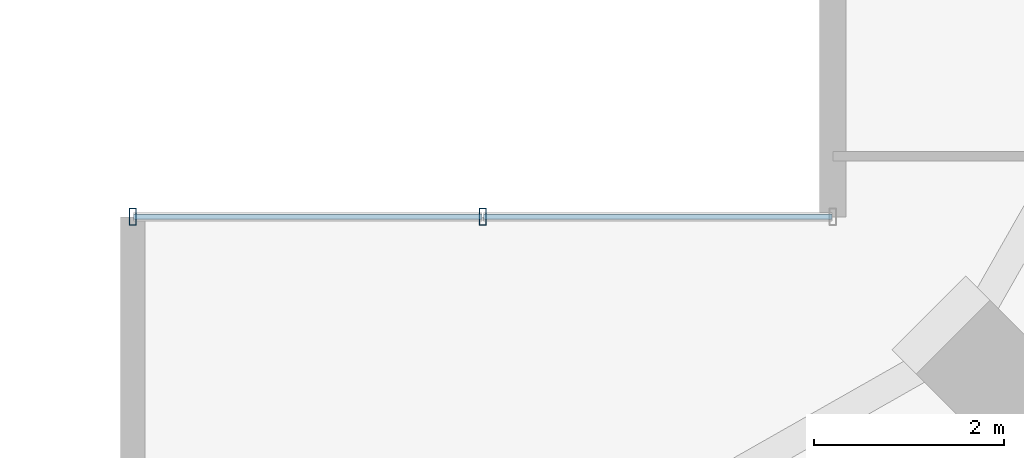
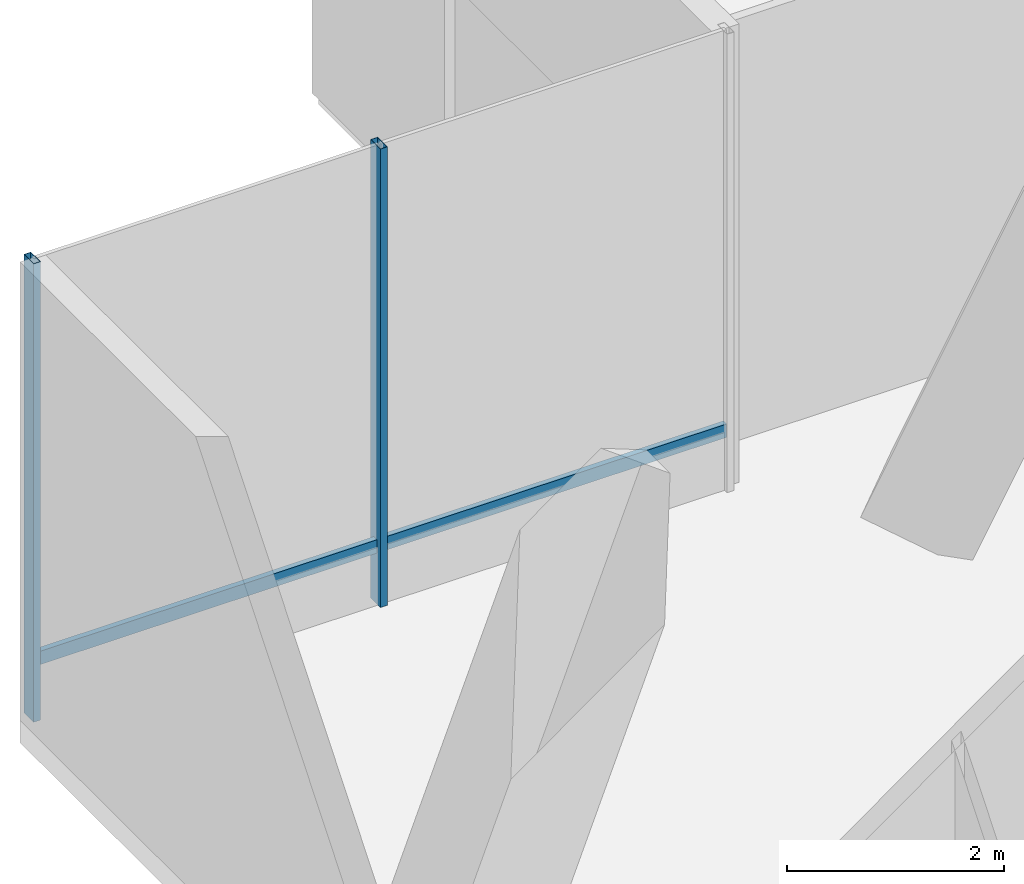
# One storey, part 19 of 33: 4 members, 1 element without a shape of its own.
"""IFC4 building model written with IfcOpenShell, lengths in metres."""

import ifcopenshell
import ifcopenshell.guid

model = None  # the IFC model being written
_history = None  # IfcOwnerHistory: only IFC2X3 demands one
_inside = {}  # id of a spatial element -> (the spatial element, [elements in it])
_under = {}  # id of a project, library or spatial element -> (it, [spatial elements below it])
_declared = {}  # id of a project -> (the project, [libraries it declares])
_typed = {}  # id of a type object -> (the type object, [elements of that type])
_made_of = {}  # id of a material, layer set ... -> (it, [elements and type objects made of it])


def new_model(schema):
    """Start an empty IFC model of exactly this schema.

    Asked for "IFC4X3", IfcOpenShell would pick the latest addendum, in which some entities
    have other attributes; the version numbers below select the first issue.
    IFC2X3 requires an IfcOwnerHistory on every rooted entity: one is made here for all.
    """
    global model, _history
    if schema == "IFC4X3":
        model = ifcopenshell.file(schema_version=(4, 3, 0, 0))
    else:
        model = ifcopenshell.file(schema=schema)
    _inside.clear()
    _under.clear()
    _declared.clear()
    _typed.clear()
    _made_of.clear()
    _history = None
    if model.schema == "IFC2X3":
        org = make("IfcOrganization", Name="unknown")
        user = make(
            "IfcPersonAndOrganization",
            ThePerson=make("IfcPerson", FamilyName="unknown"),
            TheOrganization=org,
        )
        app = make(
            "IfcApplication",
            ApplicationDeveloper=org,
            Version="unknown",
            ApplicationFullName="unknown",
            ApplicationIdentifier="unknown",
        )
        _history = make(
            "IfcOwnerHistory",
            OwningUser=user,
            OwningApplication=app,
            ChangeAction="ADDED",
            CreationDate=0,
        )
    return model


def make(cls, **values):
    """One entity of the class cls with the attributes given. An attribute that is None is left unset."""
    return model.create_entity(
        cls, **{name: value for name, value in values.items() if value is not None}
    )


def rooted(cls, **values):
    """An entity with a GlobalId (a new one), such as an element, a storey or a relation."""
    return make(cls, GlobalId=ifcopenshell.guid.new(), OwnerHistory=_history, **values)


def si_unit(unit_type, name, prefix=None):
    """IfcSIUnit, for example si_unit("LENGTHUNIT", "METRE", prefix="MILLI")."""
    return make("IfcSIUnit", UnitType=unit_type, Prefix=prefix, Name=name)


def assignment(units):
    """IfcUnitAssignment: the units of a project."""
    return None if units is None else make("IfcUnitAssignment", Units=units)


def point(xyz):
    """IfcCartesianPoint."""
    return None if xyz is None else make("IfcCartesianPoint", Coordinates=xyz)


def direction(xyz):
    """IfcDirection."""
    return None if xyz is None else make("IfcDirection", DirectionRatios=xyz)


def frame(location, z_axis=None, x_axis=None):
    """IfcAxis2Placement3D, a coordinate frame: its origin and axes. An axis left out is left unset."""
    return make(
        "IfcAxis2Placement3D",
        Location=point(location),
        Axis=direction(z_axis),
        RefDirection=direction(x_axis),
    )


def frame_2d(location, x_axis=None):
    """IfcAxis2Placement2D, a coordinate frame in the plane: its origin and x axis."""
    return make(
        "IfcAxis2Placement2D", Location=point(location), RefDirection=direction(x_axis)
    )


def origin():
    """The frame at (0, 0, 0) with its axes left unset."""
    return frame((0.0, 0.0, 0.0))


def origin_2d():
    """The frame at (0, 0) in the plane with its x axis left unset."""
    return frame_2d((0.0, 0.0))


def place(relative_to, where):
    """IfcLocalPlacement: puts the frame where relative to a parent placement (None: the world)."""
    return make(
        "IfcLocalPlacement", PlacementRelTo=relative_to, RelativePlacement=where
    )


def context(
    kind, dimensions, precision=None, world=None, true_north=None, identifier=None
):
    """IfcGeometricRepresentationContext, for example the 3D "Model" context."""
    return make(
        "IfcGeometricRepresentationContext",
        ContextIdentifier=identifier,
        ContextType=kind,
        CoordinateSpaceDimension=dimensions,
        Precision=precision,
        WorldCoordinateSystem=world,
        TrueNorth=true_north,
    )


def subcontext(parent, identifier, kind, view, scale=None):
    """IfcGeometricRepresentationSubContext, for example "Body" below "Model"."""
    return make(
        "IfcGeometricRepresentationSubContext",
        ContextIdentifier=identifier,
        ContextType=kind,
        ParentContext=parent,
        TargetScale=scale,
        TargetView=view,
    )


def project(units=None, contexts=None):
    """IfcProject with its units and contexts."""
    return rooted(
        "IfcProject",
        Name="project",
        RepresentationContexts=contexts,
        UnitsInContext=assignment(units),
    )


def spatial(cls, under=None, at=None, **own):
    """A site, building, storey or space (cls), placed at a placement, below another one or the project."""
    s = rooted(cls, ObjectPlacement=at, **own)
    if under is not None:
        _under.setdefault(under.id(), (under, []))[1].append(s)
    return s


def profile(cls, at=None, kind="AREA", **sizes):
    """A parametric profile (cls). Its sizes go by their IFC names, for example OverallWidth=200.0."""
    return make(cls, ProfileType=kind, Position=at, **sizes)


def hollow_rectangle(**sizes):
    """IfcRectangleHollowProfileDef."""
    return profile("IfcRectangleHollowProfileDef", **sizes)


def extrude(swept, where, along, depth):
    """IfcExtrudedAreaSolid: the profile swept, set in the frame where, extruded along a direction by depth."""
    return make(
        "IfcExtrudedAreaSolid",
        SweptArea=swept,
        Position=where,
        ExtrudedDirection=direction(along),
        Depth=depth,
    )


def shape(context_of_items, identifier, shape_type, items):
    """IfcShapeRepresentation: the items that make up one representation, for example the "Body"."""
    return make(
        "IfcShapeRepresentation",
        ContextOfItems=context_of_items,
        RepresentationIdentifier=identifier,
        RepresentationType=shape_type,
        Items=items,
    )


def material(Name=None, Category=None):
    """IfcMaterial."""
    return make("IfcMaterial", Name=Name, Category=Category)


def layer(
    of_material, thickness, ventilated=None, Name=None, Category=None, Priority=None
):
    """IfcMaterialLayer: one layer of a wall or slab, of a material (None: an air gap)."""
    return make(
        "IfcMaterialLayer",
        Material=of_material,
        LayerThickness=thickness,
        IsVentilated=ventilated,
        Name=Name,
        Category=Category,
        Priority=Priority,
    )


def layer_set(layers, Name=None):
    """IfcMaterialLayerSet."""
    return make("IfcMaterialLayerSet", MaterialLayers=layers, LayerSetName=Name)


def material_profile(
    of_material, cross_section, Name=None, Category=None, Priority=None
):
    """IfcMaterialProfile: a cross section and its material."""
    return make(
        "IfcMaterialProfile",
        Name=Name,
        Material=of_material,
        Profile=cross_section,
        Priority=Priority,
        Category=Category,
    )


def profile_set(profiles, Name=None, composite=None):
    """IfcMaterialProfileSet."""
    return make(
        "IfcMaterialProfileSet",
        Name=Name,
        MaterialProfiles=profiles,
        CompositeProfile=composite,
    )


def made_of(thing, what):
    """Note that an element or type object is made of a material, layer set ...; save() writes the relation."""
    if what is not None:
        _made_of.setdefault(what.id(), (what, []))[1].append(thing)
    return thing


def type_object(cls, material=None, **own):
    """A type object (cls), such as IfcWallType, which elements share."""
    return made_of(rooted(cls, **own), material)


def element(
    cls,
    number,
    at=None,
    inside=None,
    cuts=None,
    type_object=None,
    material=None,
    context=None,
    identifier="Body",
    shape_type=None,
    held_by="IfcProductDefinitionShape",
    body=None,
    shapes=None,
    **own,
):
    """One element of the class cls, such as IfcWall. Its Tag is "e" and its number.

    at: its placement. inside: the storey or other place that contains it. cuts: it is an
    opening in that element (IfcRelVoidsElement). A single representation is given by context,
    identifier, shape_type and body (its items); several are given by shapes. held_by: the class
    of the entity that holds the representations. save() writes the other relations.
    """
    e = rooted(cls, Tag="e%d" % number, ObjectPlacement=at, **own)
    if body is not None:
        shapes = [shape(context, identifier, shape_type, body)]
    if shapes is not None:
        e.Representation = make(held_by, Representations=shapes)
    if inside is not None:
        _inside.setdefault(inside.id(), (inside, []))[1].append(e)
    if cuts is not None:
        rooted(
            "IfcRelVoidsElement", RelatingBuildingElement=cuts, RelatedOpeningElement=e
        )
    if type_object is not None:
        _typed.setdefault(type_object.id(), (type_object, []))[1].append(e)
    return made_of(e, material)


def aggregate(whole, parts):
    """IfcRelAggregates: a whole, such as a stair, and the parts it consists of."""
    return rooted("IfcRelAggregates", RelatingObject=whole, RelatedObjects=parts)


def save(model, path):
    """Write the relations noted so far, then the file.

    IfcRelAggregates (storeys below a building ...), IfcRelContainedInSpatialStructure (elements
    in a storey), IfcRelDefinesByType, IfcRelAssociatesMaterial and IfcRelDeclares: one each for
    every whole, place, type object, material and project.
    """
    for whole, parts in _under.values():
        aggregate(whole, parts)
    for where, things in _inside.values():
        rooted(
            "IfcRelContainedInSpatialStructure",
            RelatedElements=things,
            RelatingStructure=where,
        )
    for kind, things in _typed.values():
        rooted("IfcRelDefinesByType", RelatedObjects=things, RelatingType=kind)
    for what, things in _made_of.values():
        rooted("IfcRelAssociatesMaterial", RelatedObjects=things, RelatingMaterial=what)
    for by, libraries in _declared.values():
        rooted("IfcRelDeclares", RelatingContext=by, RelatedDefinitions=libraries)
    model.write(path)


model = new_model("IFC4")

# Units and contexts
model_context = context("Model", 3, precision=1e-05, world=origin(), true_north=direction((0.0, 1.0)))
body_context = subcontext(model_context, "Body", "Model", "MODEL_VIEW")
ifc_project = project(units=[si_unit("LENGTHUNIT", "METRE"), si_unit("AREAUNIT", "SQUARE_METRE"), si_unit("VOLUMEUNIT", "CUBIC_METRE"), si_unit("PLANEANGLEUNIT", "RADIAN"), si_unit("MASSUNIT", "GRAM", prefix="KILO")], contexts=[model_context])

# Site, building, storey
site_placement = place(None, origin())
site = spatial("IfcSite", under=ifc_project, at=site_placement, CompositionType="ELEMENT")
building_placement = place(site_placement, origin())
building = spatial("IfcBuilding", under=site, at=building_placement, Name="Belovzor Exchange Tower", CompositionType="ELEMENT")
storey_placement = place(building_placement, frame((0.0, 0.0, 241.199951171875)))
storey = spatial("IfcBuildingStorey", under=building, at=storey_placement, Name="L60", CompositionType="ELEMENT", Elevation=241.199951171875)

# Curtain wall, members
ifc_material_1 = material(Name="Anodised Aluminium Framing", Category="aluminium")
ifc_layer = layer(ifc_material_1, 0.195068359375)
ifc_layer_set = layer_set([ifc_layer], Name="Anodised Aluminium Framing")
curtain_wall_type = type_object("IfcCurtainWallType", Name="Notched Re-Entrant Corner Unitised Curtain Wall", PredefinedType="NOTDEFINED", material=ifc_layer_set)
curtain_wall_placement = place(storey_placement, origin())
curtain_wall = element("IfcCurtainWall", 1, at=curtain_wall_placement, inside=storey, type_object=curtain_wall_type, Name="CW5 Notched Re-Entrant Corner Unitised Curtain Wall L60", PredefinedType="NOTDEFINED")
ifc_material_2 = material(Name="Steel S355", Category="steel")
ifc_material_profile_1 = material_profile(ifc_material_2, hollow_rectangle(XDim=0.074951171875, YDim=0.179931640625, WallThickness=0.0048828125, at=origin_2d()))
ifc_profile_set_1 = profile_set([ifc_material_profile_1], Name="Steel S355")
member_type_1 = type_object("IfcMemberType", Name="Thermally Broken Curtain Wall Mullion 180x75", PredefinedType="MULLION", material=ifc_profile_set_1)
member_1_placement = place(storey_placement, frame((1.929931640625, 48.300048828125, 0.0), z_axis=(0.0, 0.0, 1.0), x_axis=(1.0, 0.0, 0.0)))
member_1 = element("IfcMember", 2, at=member_1_placement, type_object=member_type_1, Name="CW-M180 Curtain Wall Mullion 1", PredefinedType="MULLION", context=body_context, shape_type="SweptSolid", body=[
    extrude(hollow_rectangle(XDim=0.074951171875, YDim=0.179931640625, WallThickness=0.0048828125, at=origin_2d()), origin(), (0.0, 0.0, 1.0), 5.150146484375),
])
member_2_placement = place(storey_placement, frame((5.614990234375, 48.300048828125, 0.0), z_axis=(0.0, 0.0, 1.0), x_axis=(1.0, 0.0, 0.0)))
member_2 = element("IfcMember", 3, at=member_2_placement, type_object=member_type_1, Name="CW-M180 Curtain Wall Mullion 2", PredefinedType="MULLION", context=body_context, shape_type="SweptSolid", body=[
    extrude(hollow_rectangle(XDim=0.074951171875, YDim=0.179931640625, WallThickness=0.0048828125, at=origin_2d()), origin(), (0.0, 0.0, 1.0), 5.150146484375),
])
ifc_material_3 = material(Name="Steel S355", Category="steel")
ifc_material_profile_2 = material_profile(ifc_material_3, hollow_rectangle(XDim=0.06005859375, YDim=0.14990234375, WallThickness=0.00390625, at=origin_2d()))
ifc_profile_set_2 = profile_set([ifc_material_profile_2], Name="Steel S355")
member_type_2 = type_object("IfcMemberType", Name="Thermally Broken Curtain Wall Transom 150x60", PredefinedType="USERDEFINED", material=ifc_profile_set_2)
member_3_placement = place(storey_placement, frame((1.93798828125, 48.300048828125, 0.650146484375), z_axis=(1.0, 0.0, 0.0), x_axis=(0.0, 1.0, 0.0)))
member_3 = element("IfcMember", 4, at=member_3_placement, type_object=member_type_2, Name="CW-T150 Curtain Wall Transom 1", ObjectType="TRANSOM", PredefinedType="USERDEFINED", context=body_context, shape_type="SweptSolid", body=[
    extrude(hollow_rectangle(XDim=0.06005859375, YDim=0.14990234375, WallThickness=0.00390625, at=origin_2d()), origin(), (0.0, 0.0, 1.0), 3.6689453125),
])
member_4_placement = place(storey_placement, frame((5.623046875, 48.300048828125, 0.650146484375), z_axis=(1.0, 0.0, 0.0), x_axis=(0.0, 1.0, 0.0)))
member_4 = element("IfcMember", 5, at=member_4_placement, type_object=member_type_2, Name="CW-T150 Curtain Wall Transom 2", ObjectType="TRANSOM", PredefinedType="USERDEFINED", context=body_context, shape_type="SweptSolid", body=[
    extrude(hollow_rectangle(XDim=0.06005859375, YDim=0.14990234375, WallThickness=0.00390625, at=origin_2d()), origin(), (0.0, 0.0, 1.0), 3.6689453125),
])
aggregate(curtain_wall, [member_1, member_2, member_3, member_4])

save(model, "model.ifc")
